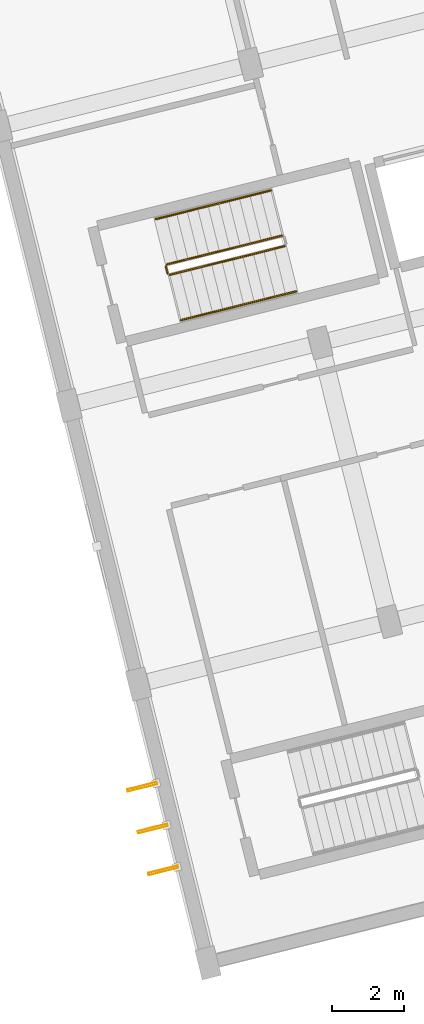
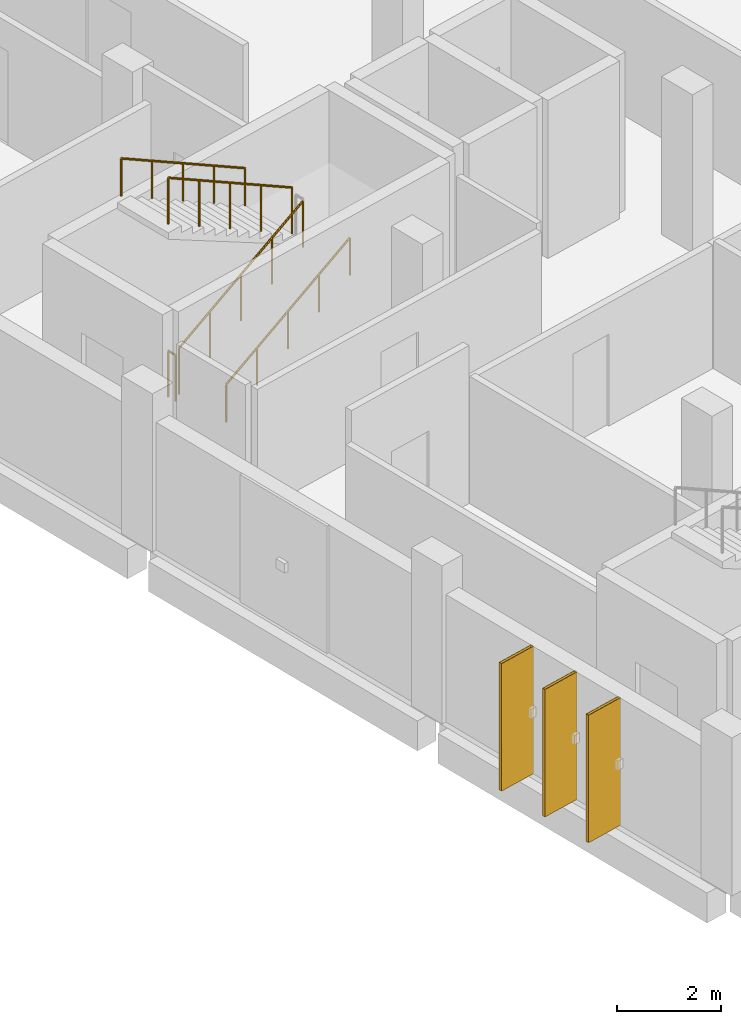
# One storey, part 41 of 47: 5 railings, 3 shading devices.
"""IFC4 building model written with IfcOpenShell, lengths in metres."""

from ifc_helpers import new_model, si_unit, direction, frame, origin, origin_2d, place, context, subcontext, project, spatial, hollow_rectangle, circle, extrude, material, material_profile, profile_set, type_object, element, save


model = new_model("IFC4")

# Units and contexts
model_context = context("Model", 3, precision=1e-05, world=origin(), true_north=direction((0.0, 1.0)))
body_context = subcontext(model_context, "Body", "Model", "MODEL_VIEW")
ifc_project = project(units=[si_unit("LENGTHUNIT", "METRE"), si_unit("AREAUNIT", "SQUARE_METRE"), si_unit("VOLUMEUNIT", "CUBIC_METRE"), si_unit("PLANEANGLEUNIT", "RADIAN"), si_unit("MASSUNIT", "GRAM", prefix="KILO")], contexts=[model_context])

# Site, building, storey
site_placement = place(None, origin())
site = spatial("IfcSite", under=ifc_project, at=site_placement, CompositionType="ELEMENT")
building_placement = place(site_placement, origin())
building = spatial("IfcBuilding", under=site, at=building_placement, Name="Mawjan Specialist Oncology Clinic", CompositionType="ELEMENT")
storey_placement = place(building_placement, frame((0.0, 0.0, 9.5)))
storey = spatial("IfcBuildingStorey", under=building, at=storey_placement, Name="L02", CompositionType="ELEMENT", Elevation=9.5)

# Railings
ifc_material_1 = material(Name="Powder-coated steel stair guard with vertical infill pickets", Category="steel")
railing_type_1 = type_object("IfcRailingType", Name="GR-110", PredefinedType="GUARDRAIL", material=ifc_material_1)
railing_1_placement = place(storey_placement, frame((124.932861328125, 19.9609375, 0.166748046875)))
element("IfcRailing", 1, at=railing_1_placement, inside=storey, type_object=railing_type_1, Name="L02 ST-05 stair guard 1", PredefinedType="GUARDRAIL", context=body_context, shape_type="SweptSolid", body=[
    extrude(circle(Radius=0.02392578125, at=origin_2d()), frame((0.0, 0.0, 1.076171875), z_axis=(0.848194742127, 0.211482791213, 0.485634336152), x_axis=(-0.24192630068, 0.970294627956, 0.0)), (0.0, 0.0, 1.0), 3.77490234375),
    extrude(circle(Radius=0.02099609375, at=origin_2d()), origin(), (0.0, 0.0, 1.0), 1.052001953125),
    extrude(circle(Radius=0.02099609375, at=origin_2d()), frame((0.800537109375, 0.19970703125, 0.458251953125)), (0.0, 0.0, 1.0), 1.052001953125),
    extrude(circle(Radius=0.02099609375, at=origin_2d()), frame((1.60107421875, 0.399169921875, 0.91650390625)), (0.0, 0.0, 1.0), 1.052001953125),
    extrude(circle(Radius=0.02099609375, at=origin_2d()), frame((2.4013671875, 0.5986328125, 1.375)), (0.0, 0.0, 1.0), 1.052001953125),
    extrude(circle(Radius=0.02099609375, at=origin_2d()), frame((3.201904296875, 0.79833984375, 1.833251953125)), (0.0, 0.0, 1.0), 1.052001953125),
])
railing_2_placement = place(storey_placement, frame((128.062255859375, 21.050537109375, 2.166748046875)))
element("IfcRailing", 2, at=railing_2_placement, inside=storey, type_object=railing_type_1, Name="L02 ST-05 stair guard 3", PredefinedType="GUARDRAIL", context=body_context, shape_type="SweptSolid", body=[
    extrude(circle(Radius=0.02392578125, at=origin_2d()), frame((0.0, 0.0, 1.076171875), z_axis=(-0.848194742127, -0.211482791213, 0.485634336152), x_axis=(0.24192630068, -0.970294627956, 0.0)), (0.0, 0.0, 1.0), 3.77490234375),
    extrude(circle(Radius=0.02099609375, at=origin_2d()), origin(), (0.0, 0.0, 1.0), 1.052001953125),
    extrude(circle(Radius=0.02099609375, at=origin_2d()), frame((-0.800537109375, -0.19970703125, 0.458251953125)), (0.0, 0.0, 1.0), 1.052001953125),
    extrude(circle(Radius=0.02099609375, at=origin_2d()), frame((-1.60107421875, -0.399169921875, 0.91650390625)), (0.0, 0.0, 1.0), 1.052001953125),
    extrude(circle(Radius=0.02099609375, at=origin_2d()), frame((-2.4013671875, -0.5986328125, 1.375)), (0.0, 0.0, 1.0), 1.052001953125),
    extrude(circle(Radius=0.02099609375, at=origin_2d()), frame((-3.201904296875, -0.79833984375, 1.833251953125)), (0.0, 0.0, 1.0), 1.052001953125),
])
railing_3_placement = place(storey_placement, frame((124.872314453125, 19.997314453125, 0.0)))
element("IfcRailing", 3, at=railing_3_placement, inside=storey, type_object=railing_type_1, Name="L02 ST-05 stair guard 4", PredefinedType="GUARDRAIL", context=body_context, shape_type="SweptSolid", body=[
    extrude(circle(Radius=0.02392578125, at=origin_2d()), frame((0.0, 0.0, 1.076171875), z_axis=(-0.242822723755, 0.970070680326, 0.0), x_axis=(-0.970070680326, -0.242822723755, 0.0)), (0.0, 0.0, 1.0), 0.2001953125),
    extrude(circle(Radius=0.02099609375, at=origin_2d()), origin(), (0.0, 0.0, 1.0), 1.052001953125),
    extrude(circle(Radius=0.02099609375, at=origin_2d()), frame((-0.048583984375, 0.194091796875, 0.0)), (0.0, 0.0, 1.0), 1.052001953125),
])
ifc_material_2 = material(Name="Brushed stainless-steel tubular handrail", Category="steel")
railing_type_2 = type_object("IfcRailingType", Name="HR-090", PredefinedType="HANDRAIL", material=ifc_material_2)
railing_4_placement = place(storey_placement, frame((125.247314453125, 18.69970703125, 0.166748046875)))
element("IfcRailing", 4, at=railing_4_placement, inside=storey, type_object=railing_type_2, Name="L02 ST-05 stair handrail 1", PredefinedType="HANDRAIL", context=body_context, shape_type="SweptSolid", body=[
    extrude(circle(Radius=0.02392578125, at=origin_2d()), frame((0.0, 0.0, 0.8759765625), z_axis=(0.848194742127, 0.211482791213, 0.485634336152), x_axis=(-0.24192630068, 0.970294627956, 0.0)), (0.0, 0.0, 1.0), 3.77490234375),
    extrude(circle(Radius=0.02099609375, at=origin_2d()), origin(), (0.0, 0.0, 1.0), 0.851806640625),
    extrude(circle(Radius=0.02099609375, at=origin_2d()), frame((0.800537109375, 0.19970703125, 0.458251953125)), (0.0, 0.0, 1.0), 0.851806640625),
    extrude(circle(Radius=0.02099609375, at=origin_2d()), frame((1.60107421875, 0.399169921875, 0.91650390625)), (0.0, 0.0, 1.0), 0.851806640625),
    extrude(circle(Radius=0.02099609375, at=origin_2d()), frame((2.4013671875, 0.5986328125, 1.375)), (0.0, 0.0, 1.0), 0.851806640625),
    extrude(circle(Radius=0.02099609375, at=origin_2d()), frame((3.201904296875, 0.79833984375, 1.833251953125)), (0.0, 0.0, 1.0), 0.851806640625),
])
railing_5_placement = place(storey_placement, frame((127.747802734375, 22.311767578125, 2.166748046875)))
element("IfcRailing", 5, at=railing_5_placement, inside=storey, type_object=railing_type_2, Name="L02 ST-05 stair handrail 2", PredefinedType="HANDRAIL", context=body_context, shape_type="SweptSolid", body=[
    extrude(circle(Radius=0.02392578125, at=origin_2d()), frame((0.0, 0.0, 0.8759765625), z_axis=(-0.848212885837, -0.211471190659, 0.485607697449), x_axis=(0.241908934998, -0.970298957625, 0.0)), (0.0, 0.0, 1.0), 3.775146484375),
    extrude(circle(Radius=0.02099609375, at=origin_2d()), origin(), (0.0, 0.0, 1.0), 0.851806640625),
    extrude(circle(Radius=0.02099609375, at=origin_2d()), frame((-0.800537109375, -0.19970703125, 0.458251953125)), (0.0, 0.0, 1.0), 0.851806640625),
    extrude(circle(Radius=0.02099609375, at=origin_2d()), frame((-1.60107421875, -0.399169921875, 0.91650390625)), (0.0, 0.0, 1.0), 0.851806640625),
    extrude(circle(Radius=0.02099609375, at=origin_2d()), frame((-2.401611328125, -0.5986328125, 1.375)), (0.0, 0.0, 1.0), 0.851806640625),
    extrude(circle(Radius=0.02099609375, at=origin_2d()), frame((-3.2021484375, -0.79833984375, 1.833251953125)), (0.0, 0.0, 1.0), 0.851806640625),
])

# Shading devices
ifc_material_3 = material(Name="Bronze-anodised aluminium 6063-T6", Category="aluminium")
ifc_material_profile = material_profile(ifc_material_3, hollow_rectangle(XDim=0.070068359375, YDim=0.85009765625, WallThickness=0.0048828125, at=origin_2d()), Name="FIN 850x70x5", Category="aluminium")
ifc_profile_set = profile_set([ifc_material_profile], Name="Bronze-anodised aluminium 6063-T6")
shading_device_type = type_object("IfcShadingDeviceType", Name="SF-850", PredefinedType="USERDEFINED", material=ifc_profile_set)
for number, where, z_axis, x_axis, name in (
    (6, (124.750244140625, 3.3740234375, 0.0), (0.0, 0.0, 1.0), (-0.2419218956, 0.970295726276, 0.0), "L02 Vertical Solar Fin SF-0016"),
    (7, (124.459716796875, 4.538330078125, 0.0), (0.0, 0.0, 1.0), (-0.2419218956, 0.970295726276, 0.0), "L02 Vertical Solar Fin SF-0017"),
    (8, (124.16943359375, 5.702880859375, 0.0), (0.0, 0.0, 1.0), (-0.2419218956, 0.970295726276, 0.0), "L02 Vertical Solar Fin SF-0018"),
):
    element("IfcShadingDevice", number, at=place(storey_placement, frame(where, z_axis=z_axis, x_axis=x_axis)), inside=storey, type_object=shading_device_type, Name=name, ObjectType="SOLAR FIN", PredefinedType="USERDEFINED", context=body_context, shape_type="SweptSolid", body=[
        extrude(hollow_rectangle(XDim=0.070068359375, YDim=0.85009765625, WallThickness=0.0048828125, at=origin_2d()), origin(), (0.0, 0.0, 1.0), 2.985107421875),
    ])

save(model, "model.ifc")
